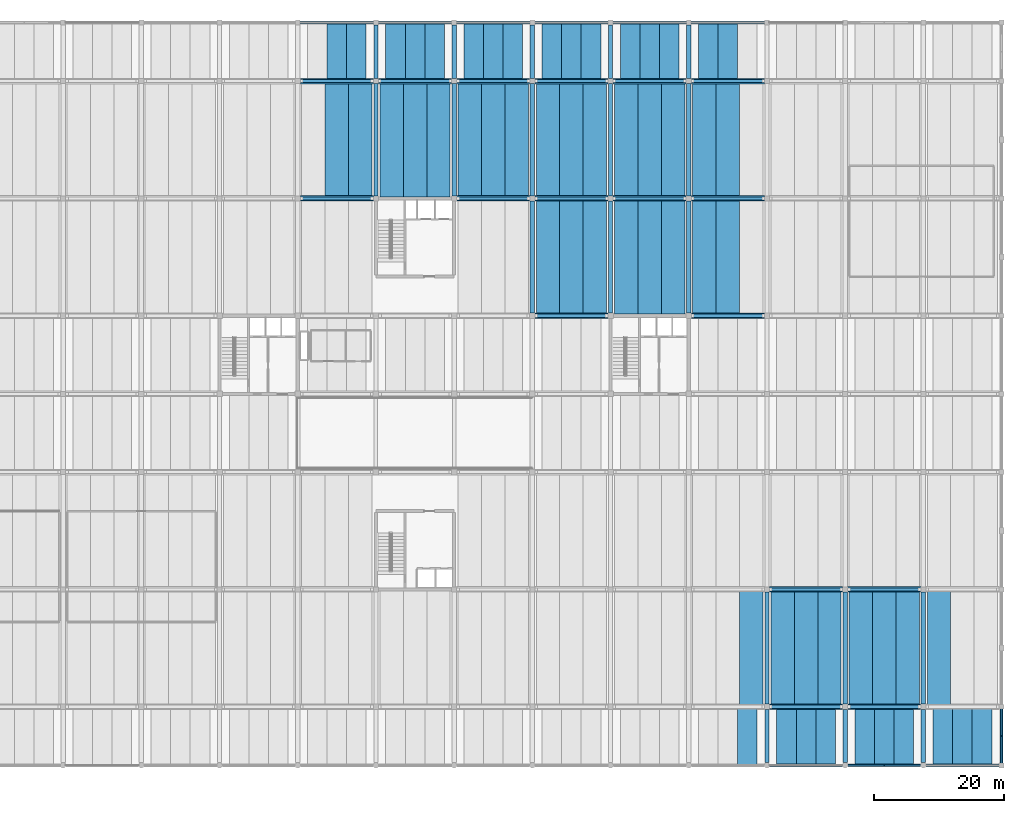
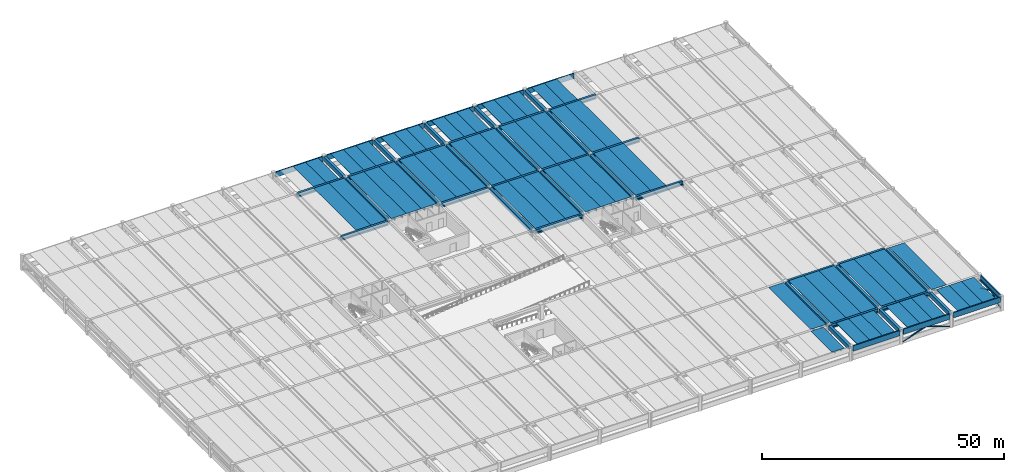
# One storey, part 5 of 21: 104 beams, 4 members.
"""IFC4 building model written with IfcOpenShell, lengths in metres."""

from ifc_helpers import new_model, si_unit, direction, frame, origin, origin_2d, place, context, subcontext, project, spatial, polyline, rectangle, hollow_rectangle, outline, extrude, material, material_profile, profile_set, type_object, element, save


model = new_model("IFC4")

# Units and contexts
model_context = context("Model", 3, precision=1e-05, world=origin(), true_north=direction((0.0, 1.0)))
body_context = subcontext(model_context, "Body", "Model", "MODEL_VIEW")
ifc_project = project(units=[si_unit("LENGTHUNIT", "METRE"), si_unit("AREAUNIT", "SQUARE_METRE"), si_unit("VOLUMEUNIT", "CUBIC_METRE"), si_unit("PLANEANGLEUNIT", "RADIAN"), si_unit("MASSUNIT", "GRAM", prefix="KILO")], contexts=[model_context])

# Site, building, storey
site_placement = place(None, origin())
site = spatial("IfcSite", under=ifc_project, at=site_placement, CompositionType="ELEMENT")
building_placement = place(site_placement, origin())
building = spatial("IfcBuilding", under=site, at=building_placement, Name="Girod Span Mobility Hub", CompositionType="ELEMENT")
storey_placement = place(building_placement, frame((0.0, 0.0, 17.199951171875)))
storey = spatial("IfcBuildingStorey", under=building, at=storey_placement, Name="L04", CompositionType="ELEMENT", Elevation=17.199951171875)

# Beams
ifc_material_1 = material(Name="Concrete C50/60", Category="concrete")
ifc_material_profile_1 = material_profile(ifc_material_1, outline(polyline([(-1.5, 0.300048828125), (-1.5, 0.2099609375), (-0.8349609375, 0.2099609375), (-0.8125, -0.300048828125), (-0.6875, -0.300048828125), (-0.6650390625, 0.2099609375), (0.6650390625, 0.2099609375), (0.6875, -0.300048828125), (0.8125, -0.300048828125), (0.8349609375, 0.2099609375), (1.5, 0.2099609375), (1.5, 0.300048828125), (-1.5, 0.300048828125)])), Name="DT-3000X600")
ifc_profile_set_1 = profile_set([ifc_material_profile_1], Name="Concrete C50/60")
beam_type_1 = type_object("IfcBeamType", Name="BM-DT-3000X600", PredefinedType="JOIST", material=ifc_profile_set_1)
for number, where, z_axis, x_axis, name in (
    (1, (66.0, 105.2470703125, 3.280029296875), (0.0, 1.0, 0.0), (-1.0, 0.0, 0.0), "Double-Tee Deck 6/H-2 L04"),
    (2, (69.0, 105.2470703125, 3.280029296875), (0.0, 1.0, 0.0), (-1.0, 0.0, 0.0), "Double-Tee Deck 6/H-3 L04"),
    (3, (75.0, 105.2470703125, 3.280029296875), (0.0, 1.0, 0.0), (-1.0, 0.0, 0.0), "Double-Tee Deck 7/H-1 L04"),
    (4, (78.0, 105.2470703125, 3.280029296875), (0.0, 1.0, 0.0), (-1.0, 0.0, 0.0), "Double-Tee Deck 7/H-2 L04"),
    (5, (81.0, 105.2470703125, 3.280029296875), (0.0, 1.0, 0.0), (-1.0, 0.0, 0.0), "Double-Tee Deck 7/H-3 L04"),
    (6, (87.0, 105.2470703125, 3.280029296875), (0.0, 1.0, 0.0), (-1.0, 0.0, 0.0), "Double-Tee Deck 8/H-1 L04"),
    (7, (90.0, 105.2470703125, 3.280029296875), (0.0, 1.0, 0.0), (-1.0, 0.0, 0.0), "Double-Tee Deck 8/H-2 L04"),
    (8, (93.0, 105.2470703125, 3.280029296875), (0.0, 1.0, 0.0), (-1.0, 0.0, 0.0), "Double-Tee Deck 8/H-3 L04"),
    (9, (99.0, 105.2470703125, 3.280029296875), (0.0, 1.0, 0.0), (-1.0, 0.0, 0.0), "Double-Tee Deck 9/H-1 L04"),
    (10, (102.0, 105.2470703125, 3.280029296875), (0.0, 1.0, 0.0), (-1.0, 0.0, 0.0), "Double-Tee Deck 9/H-2 L04"),
    (11, (105.0, 105.2470703125, 3.280029296875), (0.0, 1.0, 0.0), (-1.0, 0.0, 0.0), "Double-Tee Deck 9/H-3 L04"),
    (12, (111.0, 105.2470703125, 3.280029296875), (0.0, 1.0, 0.0), (-1.0, 0.0, 0.0), "Double-Tee Deck 10/H-1 L04"),
    (13, (114.0, 105.2470703125, 3.280029296875), (0.0, 1.0, 0.0), (-1.0, 0.0, 0.0), "Double-Tee Deck 10/H-2 L04"),
    (14, (117.0, 105.2470703125, 3.280029296875), (0.0, 1.0, 0.0), (-1.0, 0.0, 0.0), "Double-Tee Deck 10/H-3 L04"),
):
    element("IfcBeam", number, at=place(storey_placement, frame(where, z_axis=z_axis, x_axis=x_axis)), inside=storey, type_object=beam_type_1, Name=name, PredefinedType="JOIST", context=body_context, shape_type="SweptSolid", body=[
        extrude(outline(polyline([(-1.5, 0.300048828125), (-1.5, 0.2099609375), (-0.8349609375, 0.2099609375), (-0.8125, -0.300048828125), (-0.6875, -0.300048828125), (-0.6650390625, 0.2099609375), (0.6650390625, 0.2099609375), (0.6875, -0.300048828125), (0.8125, -0.300048828125), (0.8349609375, 0.2099609375), (1.5, 0.2099609375), (1.5, 0.300048828125), (-1.5, 0.300048828125)])), origin(), (0.0, 0.0, 1.0), 8.531005859375),
    ])
beam_1_placement = place(storey_placement, frame((129.0, 0.02197265625, 3.280029296875), z_axis=(0.0, 1.0, 0.0), x_axis=(-1.0, 0.0, 0.0)))
element("IfcBeam", 15, at=beam_1_placement, inside=storey, type_object=beam_type_1, Name="Double-Tee Deck 11/A-3 L04", PredefinedType="JOIST", context=body_context, shape_type="SweptSolid", body=[
    extrude(outline(polyline([(-1.5, 0.300048828125), (-1.5, 0.2099609375), (-0.8349609375, 0.2099609375), (-0.8125, -0.300048828125), (-0.6875, -0.300048828125), (-0.6650390625, 0.2099609375), (0.6650390625, 0.2099609375), (0.6875, -0.300048828125), (0.8125, -0.300048828125), (0.8349609375, 0.2099609375), (1.5, 0.2099609375), (1.5, 0.300048828125), (-1.5, 0.300048828125)])), origin(), (0.0, 0.0, 1.0), 8.73095703125),
])
for number, where, z_axis, x_axis, name in (
    (16, (123.0, 105.2470703125, 3.280029296875), (0.0, 1.0, 0.0), (-1.0, 0.0, 0.0), "Double-Tee Deck 11/H-1 L04"),
    (17, (126.0, 105.2470703125, 3.280029296875), (0.0, 1.0, 0.0), (-1.0, 0.0, 0.0), "Double-Tee Deck 11/H-2 L04"),
):
    element("IfcBeam", number, at=place(storey_placement, frame(where, z_axis=z_axis, x_axis=x_axis)), inside=storey, type_object=beam_type_1, Name=name, PredefinedType="JOIST", context=body_context, shape_type="SweptSolid", body=[
        extrude(outline(polyline([(-1.5, 0.300048828125), (-1.5, 0.2099609375), (-0.8349609375, 0.2099609375), (-0.8125, -0.300048828125), (-0.6875, -0.300048828125), (-0.6650390625, 0.2099609375), (0.6650390625, 0.2099609375), (0.6875, -0.300048828125), (0.8125, -0.300048828125), (0.8349609375, 0.2099609375), (1.5, 0.2099609375), (1.5, 0.300048828125), (-1.5, 0.300048828125)])), origin(), (0.0, 0.0, 1.0), 8.531005859375),
    ])
for number, where, z_axis, x_axis, name in (
    (18, (135.0, 0.02197265625, 3.280029296875), (0.0, 1.0, 0.0), (-1.0, 0.0, 0.0), "Double-Tee Deck 12/A-1 L04"),
    (19, (138.0, 0.02197265625, 3.280029296875), (0.0, 1.0, 0.0), (-1.0, 0.0, 0.0), "Double-Tee Deck 12/A-2 L04"),
    (20, (141.0, 0.02197265625, 3.280029296875), (0.0, 1.0, 0.0), (-1.0, 0.0, 0.0), "Double-Tee Deck 12/A-3 L04"),
    (21, (147.0, 0.02197265625, 3.280029296875), (0.0, 1.0, 0.0), (-1.0, 0.0, 0.0), "Double-Tee Deck 13/A-1 L04"),
    (22, (150.0, 0.02197265625, 3.280029296875), (0.0, 1.0, 0.0), (-1.0, 0.0, 0.0), "Double-Tee Deck 13/A-2 L04"),
    (23, (153.0, 0.02197265625, 3.280029296875), (0.0, 1.0, 0.0), (-1.0, 0.0, 0.0), "Double-Tee Deck 13/A-3 L04"),
    (24, (159.0, 0.02197265625, 3.280029296875), (0.0, 1.0, 0.0), (-1.0, 0.0, 0.0), "Double-Tee Deck 14/A-1 L04"),
    (25, (162.0, 0.02197265625, 3.280029296875), (0.0, 1.0, 0.0), (-1.0, 0.0, 0.0), "Double-Tee Deck 14/A-2 L04"),
    (26, (165.0, 0.02197265625, 3.280029296875), (0.0, 1.0, 0.0), (-1.0, 0.0, 0.0), "Double-Tee Deck 14/A-3 L04"),
):
    element("IfcBeam", number, at=place(storey_placement, frame(where, z_axis=z_axis, x_axis=x_axis)), inside=storey, type_object=beam_type_1, Name=name, PredefinedType="JOIST", context=body_context, shape_type="SweptSolid", body=[
        extrude(outline(polyline([(-1.5, 0.300048828125), (-1.5, 0.2099609375), (-0.8349609375, 0.2099609375), (-0.8125, -0.300048828125), (-0.6875, -0.300048828125), (-0.6650390625, 0.2099609375), (0.6650390625, 0.2099609375), (0.6875, -0.300048828125), (0.8125, -0.300048828125), (0.8349609375, 0.2099609375), (1.5, 0.2099609375), (1.5, 0.300048828125), (-1.5, 0.300048828125)])), origin(), (0.0, 0.0, 1.0), 8.73095703125),
    ])
ifc_material_2 = material(Name="Concrete C50/60", Category="concrete")
ifc_material_profile_2 = material_profile(ifc_material_2, outline(polyline([(-1.800048828125, 0.425048828125), (-1.800048828125, 0.324951171875), (-1.0, 0.324951171875), (-0.969970703125, -0.425048828125), (-0.830078125, -0.425048828125), (-0.800048828125, 0.324951171875), (0.800048828125, 0.324951171875), (0.830078125, -0.425048828125), (0.969970703125, -0.425048828125), (1.0, 0.324951171875), (1.800048828125, 0.324951171875), (1.800048828125, 0.425048828125), (-1.800048828125, 0.425048828125)])), Name="DT-3600X850")
ifc_profile_set_2 = profile_set([ifc_material_profile_2], Name="Concrete C50/60")
beam_type_2 = type_object("IfcBeamType", Name="BM-DT-3600X850", PredefinedType="JOIST", material=ifc_profile_set_2)
for number, where, z_axis, x_axis, name in (
    (27, (66.0, 87.2470703125, 3.215087890625), (0.0, 1.0, 0.0), (-1.0, 0.0, 0.0), "Double-Tee Deck 6/G-2 L04"),
    (28, (69.60009765625, 87.2470703125, 3.215087890625), (0.0, 1.0, 0.0), (-1.0, 0.0, 0.0), "Double-Tee Deck 6/G-3 L04"),
):
    element("IfcBeam", number, at=place(storey_placement, frame(where, z_axis=z_axis, x_axis=x_axis)), inside=storey, type_object=beam_type_2, Name=name, PredefinedType="JOIST", context=body_context, shape_type="SweptSolid", body=[
        extrude(outline(polyline([(-1.800048828125, 0.425048828125), (-1.800048828125, 0.324951171875), (-1.0, 0.324951171875), (-0.969970703125, -0.425048828125), (-0.830078125, -0.425048828125), (-0.800048828125, 0.324951171875), (0.800048828125, 0.324951171875), (0.830078125, -0.425048828125), (0.969970703125, -0.425048828125), (1.0, 0.324951171875), (1.800048828125, 0.324951171875), (1.800048828125, 0.425048828125), (-1.800048828125, 0.425048828125)])), origin(), (0.0, 0.0, 1.0), 17.505859375),
    ])
for number, where, z_axis, x_axis, name in (
    (29, (74.39990234375, 87.221923828125, 3.215087890625), (0.0, 1.0, 0.0), (-1.0, 0.0, 0.0), "Double-Tee Deck 7/G-1 L04"),
    (30, (78.0, 87.221923828125, 3.215087890625), (0.0, 1.0, 0.0), (-1.0, 0.0, 0.0), "Double-Tee Deck 7/G-2 L04"),
    (31, (81.60009765625, 87.221923828125, 3.215087890625), (0.0, 1.0, 0.0), (-1.0, 0.0, 0.0), "Double-Tee Deck 7/G-3 L04"),
):
    element("IfcBeam", number, at=place(storey_placement, frame(where, z_axis=z_axis, x_axis=x_axis)), inside=storey, type_object=beam_type_2, Name=name, PredefinedType="JOIST", context=body_context, shape_type="SweptSolid", body=[
        extrude(outline(polyline([(-1.800048828125, 0.425048828125), (-1.800048828125, 0.324951171875), (-1.0, 0.324951171875), (-0.969970703125, -0.425048828125), (-0.830078125, -0.425048828125), (-0.800048828125, 0.324951171875), (0.800048828125, 0.324951171875), (0.830078125, -0.425048828125), (0.969970703125, -0.425048828125), (1.0, 0.324951171875), (1.800048828125, 0.324951171875), (1.800048828125, 0.425048828125), (-1.800048828125, 0.425048828125)])), origin(), (0.0, 0.0, 1.0), 17.531005859375),
    ])
for number, where, z_axis, x_axis, name in (
    (32, (86.39990234375, 87.2470703125, 3.215087890625), (0.0, 1.0, 0.0), (-1.0, 0.0, 0.0), "Double-Tee Deck 8/G-1 L04"),
    (33, (90.0, 87.2470703125, 3.215087890625), (0.0, 1.0, 0.0), (-1.0, 0.0, 0.0), "Double-Tee Deck 8/G-2 L04"),
    (34, (93.60009765625, 87.2470703125, 3.215087890625), (0.0, 1.0, 0.0), (-1.0, 0.0, 0.0), "Double-Tee Deck 8/G-3 L04"),
    (35, (98.39990234375, 69.2470703125, 3.215087890625), (0.0, 1.0, 0.0), (-1.0, 0.0, 0.0), "Double-Tee Deck 9/F-1 L04"),
    (36, (102.0, 69.2470703125, 3.215087890625), (0.0, 1.0, 0.0), (-1.0, 0.0, 0.0), "Double-Tee Deck 9/F-2 L04"),
    (37, (105.60009765625, 69.2470703125, 3.215087890625), (0.0, 1.0, 0.0), (-1.0, 0.0, 0.0), "Double-Tee Deck 9/F-3 L04"),
    (38, (98.39990234375, 87.2470703125, 3.215087890625), (0.0, 1.0, 0.0), (-1.0, 0.0, 0.0), "Double-Tee Deck 9/G-1 L04"),
    (39, (102.0, 87.2470703125, 3.215087890625), (0.0, 1.0, 0.0), (-1.0, 0.0, 0.0), "Double-Tee Deck 9/G-2 L04"),
    (40, (105.60009765625, 87.2470703125, 3.215087890625), (0.0, 1.0, 0.0), (-1.0, 0.0, 0.0), "Double-Tee Deck 9/G-3 L04"),
    (41, (110.39990234375, 69.2470703125, 3.215087890625), (0.0, 1.0, 0.0), (-1.0, 0.0, 0.0), "Double-Tee Deck 10/F-1 L04"),
    (42, (114.0, 69.2470703125, 3.215087890625), (0.0, 1.0, 0.0), (-1.0, 0.0, 0.0), "Double-Tee Deck 10/F-2 L04"),
    (43, (117.60009765625, 69.2470703125, 3.215087890625), (0.0, 1.0, 0.0), (-1.0, 0.0, 0.0), "Double-Tee Deck 10/F-3 L04"),
    (44, (110.39990234375, 87.2470703125, 3.215087890625), (0.0, 1.0, 0.0), (-1.0, 0.0, 0.0), "Double-Tee Deck 10/G-1 L04"),
    (45, (114.0, 87.2470703125, 3.215087890625), (0.0, 1.0, 0.0), (-1.0, 0.0, 0.0), "Double-Tee Deck 10/G-2 L04"),
    (46, (117.60009765625, 87.2470703125, 3.215087890625), (0.0, 1.0, 0.0), (-1.0, 0.0, 0.0), "Double-Tee Deck 10/G-3 L04"),
    (47, (129.60009765625, 9.2470703125, 3.215087890625), (0.0, 1.0, 0.0), (-1.0, 0.0, 0.0), "Double-Tee Deck 11/B-3 L04"),
    (48, (122.39990234375, 69.2470703125, 3.215087890625), (0.0, 1.0, 0.0), (-1.0, 0.0, 0.0), "Double-Tee Deck 11/F-1 L04"),
    (49, (126.0, 69.2470703125, 3.215087890625), (0.0, 1.0, 0.0), (-1.0, 0.0, 0.0), "Double-Tee Deck 11/F-2 L04"),
    (50, (122.39990234375, 87.2470703125, 3.215087890625), (0.0, 1.0, 0.0), (-1.0, 0.0, 0.0), "Double-Tee Deck 11/G-1 L04"),
    (51, (126.0, 87.2470703125, 3.215087890625), (0.0, 1.0, 0.0), (-1.0, 0.0, 0.0), "Double-Tee Deck 11/G-2 L04"),
    (52, (134.39990234375, 9.2470703125, 3.215087890625), (0.0, 1.0, 0.0), (-1.0, 0.0, 0.0), "Double-Tee Deck 12/B-1 L04"),
    (53, (138.0, 9.2470703125, 3.215087890625), (0.0, 1.0, 0.0), (-1.0, 0.0, 0.0), "Double-Tee Deck 12/B-2 L04"),
    (54, (141.60009765625, 9.2470703125, 3.215087890625), (0.0, 1.0, 0.0), (-1.0, 0.0, 0.0), "Double-Tee Deck 12/B-3 L04"),
    (55, (146.39990234375, 9.2470703125, 3.215087890625), (0.0, 1.0, 0.0), (-1.0, 0.0, 0.0), "Double-Tee Deck 13/B-1 L04"),
    (56, (150.0, 9.2470703125, 3.215087890625), (0.0, 1.0, 0.0), (-1.0, 0.0, 0.0), "Double-Tee Deck 13/B-2 L04"),
    (57, (153.60009765625, 9.2470703125, 3.215087890625), (0.0, 1.0, 0.0), (-1.0, 0.0, 0.0), "Double-Tee Deck 13/B-3 L04"),
    (58, (158.39990234375, 9.2470703125, 3.155029296875), (0.0, 1.0, 0.0), (-1.0, 0.0, 0.0), "Double-Tee Deck 14/B-1 L04"),
):
    element("IfcBeam", number, at=place(storey_placement, frame(where, z_axis=z_axis, x_axis=x_axis)), inside=storey, type_object=beam_type_2, Name=name, PredefinedType="JOIST", context=body_context, shape_type="SweptSolid", body=[
        extrude(outline(polyline([(-1.800048828125, 0.425048828125), (-1.800048828125, 0.324951171875), (-1.0, 0.324951171875), (-0.969970703125, -0.425048828125), (-0.830078125, -0.425048828125), (-0.800048828125, 0.324951171875), (0.800048828125, 0.324951171875), (0.830078125, -0.425048828125), (0.969970703125, -0.425048828125), (1.0, 0.324951171875), (1.800048828125, 0.324951171875), (1.800048828125, 0.425048828125), (-1.800048828125, 0.425048828125)])), origin(), (0.0, 0.0, 1.0), 17.505859375),
    ])
ifc_material_3 = material(Name="Concrete C50/60", Category="concrete")
ifc_material_profile_3 = material_profile(ifc_material_3, outline(polyline([(-0.425048828125, -0.47509765625), (0.425048828125, -0.47509765625), (0.425048828125, -0.155029296875), (0.25, -0.155029296875), (0.25, 0.47509765625), (-0.25, 0.47509765625), (-0.25, -0.155029296875), (-0.425048828125, -0.155029296875), (-0.425048828125, -0.47509765625)])), Name="IT-850X950")
ifc_profile_set_3 = profile_set([ifc_material_profile_3], Name="Concrete C50/60")
beam_type_3 = type_object("IfcBeamType", Name="BM-IT-850X950", PredefinedType="T_BEAM", material=ifc_profile_set_3)
for number, where, z_axis, x_axis, name in (
    (59, (132.39697265625, 9.0, 3.1650390625), (1.0, 0.0, 0.0), (0.0, 1.0, 0.0), "Girder 12-13/B L04"),
    (60, (144.39697265625, 9.0, 3.1650390625), (1.0, 0.0, 0.0), (0.0, 1.0, 0.0), "Girder 13-14/B L04"),
    (61, (132.39697265625, 27.0, 3.1650390625), (1.0, 0.0, 0.0), (0.0, 1.0, 0.0), "Girder 12-13/C L04"),
    (62, (144.39697265625, 27.0, 3.1650390625), (1.0, 0.0, 0.0), (0.0, 1.0, 0.0), "Girder 13-14/C L04"),
):
    element("IfcBeam", number, at=place(storey_placement, frame(where, z_axis=z_axis, x_axis=x_axis)), inside=storey, type_object=beam_type_3, Name=name, PredefinedType="T_BEAM", context=body_context, shape_type="SweptSolid", body=[
        extrude(outline(polyline([(-0.425048828125, -0.47509765625), (0.425048828125, -0.47509765625), (0.425048828125, -0.155029296875), (0.25, -0.155029296875), (0.25, 0.47509765625), (-0.25, 0.47509765625), (-0.25, -0.155029296875), (-0.425048828125, -0.155029296875), (-0.425048828125, -0.47509765625)])), origin(), (0.0, 0.0, 1.0), 11.2060546875),
    ])
beam_2_placement = place(storey_placement, frame((96.422119140625, 69.0, 3.1650390625), z_axis=(1.0, 0.0, 0.0), x_axis=(0.0, 1.0, 0.0)))
element("IfcBeam", 63, at=beam_2_placement, inside=storey, type_object=beam_type_3, Name="Girder 9-10/F L04", PredefinedType="T_BEAM", context=body_context, shape_type="SweptSolid", body=[
    extrude(outline(polyline([(-0.425048828125, -0.47509765625), (0.425048828125, -0.47509765625), (0.425048828125, -0.155029296875), (0.25, -0.155029296875), (0.25, 0.47509765625), (-0.25, 0.47509765625), (-0.25, -0.155029296875), (-0.425048828125, -0.155029296875), (-0.425048828125, -0.47509765625)])), origin(), (0.0, 0.0, 1.0), 11.15576171875),
])
beam_3_placement = place(storey_placement, frame((120.422119140625, 69.0, 3.1650390625), z_axis=(1.0, 0.0, 0.0), x_axis=(0.0, 1.0, 0.0)))
element("IfcBeam", 64, at=beam_3_placement, inside=storey, type_object=beam_type_3, Name="Girder 11-12/F L04", PredefinedType="T_BEAM", context=body_context, shape_type="SweptSolid", body=[
    extrude(outline(polyline([(-0.425048828125, -0.47509765625), (0.425048828125, -0.47509765625), (0.425048828125, -0.155029296875), (0.25, -0.155029296875), (0.25, 0.47509765625), (-0.25, 0.47509765625), (-0.25, -0.155029296875), (-0.425048828125, -0.155029296875), (-0.425048828125, -0.47509765625)])), origin(), (0.0, 0.0, 1.0), 11.180908203125),
])
for number, where, z_axis, x_axis, name in (
    (65, (60.39697265625, 87.0, 3.1650390625), (1.0, 0.0, 0.0), (0.0, 1.0, 0.0), "Girder 6-7/G L04"),
    (66, (84.39697265625, 87.0, 3.1650390625), (1.0, 0.0, 0.0), (0.0, 1.0, 0.0), "Girder 8-9/G L04"),
    (67, (96.39697265625, 87.0, 3.1650390625), (1.0, 0.0, 0.0), (0.0, 1.0, 0.0), "Girder 9-10/G L04"),
    (68, (108.39697265625, 87.0, 3.1650390625), (1.0, 0.0, 0.0), (0.0, 1.0, 0.0), "Girder 10-11/G L04"),
    (69, (120.39697265625, 87.0, 3.1650390625), (1.0, 0.0, 0.0), (0.0, 1.0, 0.0), "Girder 11-12/G L04"),
    (70, (60.39697265625, 105.0, 3.1650390625), (1.0, 0.0, 0.0), (0.0, 1.0, 0.0), "Girder 6-7/H L04"),
    (71, (72.39697265625, 105.0, 3.1650390625), (1.0, 0.0, 0.0), (0.0, 1.0, 0.0), "Girder 7-8/H L04"),
    (72, (84.39697265625, 105.0, 3.1650390625), (1.0, 0.0, 0.0), (0.0, 1.0, 0.0), "Girder 8-9/H L04"),
    (73, (96.39697265625, 105.0, 3.1650390625), (1.0, 0.0, 0.0), (0.0, 1.0, 0.0), "Girder 9-10/H L04"),
    (74, (108.39697265625, 105.0, 3.1650390625), (1.0, 0.0, 0.0), (0.0, 1.0, 0.0), "Girder 10-11/H L04"),
    (75, (120.39697265625, 105.0, 3.1650390625), (1.0, 0.0, 0.0), (0.0, 1.0, 0.0), "Girder 11-12/H L04"),
):
    element("IfcBeam", number, at=place(storey_placement, frame(where, z_axis=z_axis, x_axis=x_axis)), inside=storey, type_object=beam_type_3, Name=name, PredefinedType="T_BEAM", context=body_context, shape_type="SweptSolid", body=[
        extrude(outline(polyline([(-0.425048828125, -0.47509765625), (0.425048828125, -0.47509765625), (0.425048828125, -0.155029296875), (0.25, -0.155029296875), (0.25, 0.47509765625), (-0.25, 0.47509765625), (-0.25, -0.155029296875), (-0.425048828125, -0.155029296875), (-0.425048828125, -0.47509765625)])), origin(), (0.0, 0.0, 1.0), 11.2060546875),
    ])
ifc_material_4 = material(Name="Concrete C40/50", Category="concrete")
ifc_material_profile_4 = material_profile(ifc_material_4, outline(polyline([(-0.22509765625, -0.675048828125), (0.22509765625, -0.675048828125), (0.22509765625, -0.324951171875), (0.02490234375, -0.324951171875), (0.02490234375, 0.675048828125), (-0.22509765625, 0.675048828125), (-0.22509765625, -0.675048828125)])), Name="SP-450X1350")
ifc_profile_set_4 = profile_set([ifc_material_profile_4], Name="Concrete C40/50")
beam_type_4 = type_object("IfcBeamType", Name="BM-SP-450X1350", PredefinedType="SPANDREL", material=ifc_profile_set_4)
for number, where, z_axis, x_axis, name in (
    (76, (132.422119140625, 0.0, 2.905029296875), (1.0, 0.0, 0.0), (0.0, 1.0, 0.0), "Girder 12-13/A L04"),
    (77, (144.422119140625, 0.0, 2.905029296875), (1.0, 0.0, 0.0), (0.0, 1.0, 0.0), "Girder 13-14/A L04"),
):
    element("IfcBeam", number, at=place(storey_placement, frame(where, z_axis=z_axis, x_axis=x_axis)), inside=storey, type_object=beam_type_4, Name=name, PredefinedType="SPANDREL", context=body_context, shape_type="SweptSolid", body=[
        extrude(outline(polyline([(-0.22509765625, -0.675048828125), (0.22509765625, -0.675048828125), (0.22509765625, -0.324951171875), (0.02490234375, -0.324951171875), (0.02490234375, 0.675048828125), (-0.22509765625, 0.675048828125), (-0.22509765625, -0.675048828125)])), origin(), (0.0, 0.0, 1.0), 11.15576171875),
    ])
beam_4_placement = place(storey_placement, frame((156.422119140625, 0.0, 2.905029296875), z_axis=(1.0, 0.0, 0.0), x_axis=(0.0, 1.0, 0.0)))
element("IfcBeam", 78, at=beam_4_placement, inside=storey, type_object=beam_type_4, Name="Girder 14-15/A L04", PredefinedType="SPANDREL", context=body_context, shape_type="SweptSolid", body=[
    extrude(outline(polyline([(-0.22509765625, -0.675048828125), (0.22509765625, -0.675048828125), (0.22509765625, -0.324951171875), (0.02490234375, -0.324951171875), (0.02490234375, 0.675048828125), (-0.22509765625, 0.675048828125), (-0.22509765625, -0.675048828125)])), origin(), (0.0, 0.0, 1.0), 11.205810546875),
])
for number, where, z_axis, x_axis, name in (
    (79, (60.3720703125, 114.0, 2.905029296875), (1.0, 0.0, 0.0), (0.0, 1.0, 0.0), "Girder 6-7/J L04"),
    (80, (72.3720703125, 114.0, 2.905029296875), (1.0, 0.0, 0.0), (0.0, 1.0, 0.0), "Girder 7-8/J L04"),
    (81, (84.3720703125, 114.0, 2.905029296875), (1.0, 0.0, 0.0), (0.0, 1.0, 0.0), "Girder 8-9/J L04"),
    (82, (96.3720703125, 114.0, 2.905029296875), (1.0, 0.0, 0.0), (0.0, 1.0, 0.0), "Girder 9-10/J L04"),
    (83, (108.3720703125, 114.0, 2.905029296875), (1.0, 0.0, 0.0), (0.0, 1.0, 0.0), "Girder 10-11/J L04"),
    (84, (120.3720703125, 114.0, 2.905029296875), (1.0, 0.0, 0.0), (0.0, 1.0, 0.0), "Girder 11-12/J L04"),
):
    element("IfcBeam", number, at=place(storey_placement, frame(where, z_axis=z_axis, x_axis=x_axis)), inside=storey, type_object=beam_type_4, Name=name, PredefinedType="SPANDREL", context=body_context, shape_type="SweptSolid", body=[
        extrude(outline(polyline([(-0.22509765625, -0.675048828125), (0.22509765625, -0.675048828125), (0.22509765625, -0.324951171875), (0.02490234375, -0.324951171875), (0.02490234375, 0.675048828125), (-0.22509765625, 0.675048828125), (-0.22509765625, -0.675048828125)])), origin(), (0.0, 0.0, 1.0), 11.255859375),
    ])
beam_5_placement = place(storey_placement, frame((168.0, 0.3720703125, 2.905029296875), z_axis=(0.0, 1.0, 0.0), x_axis=(-1.0, 0.0, 0.0)))
element("IfcBeam", 85, at=beam_5_placement, inside=storey, type_object=beam_type_4, Name="Tie Girder 15/A-B L04", PredefinedType="SPANDREL", context=body_context, shape_type="SweptSolid", body=[
    extrude(outline(polyline([(-0.22509765625, -0.675048828125), (0.22509765625, -0.675048828125), (0.22509765625, -0.324951171875), (0.02490234375, -0.324951171875), (0.02490234375, 0.675048828125), (-0.22509765625, 0.675048828125), (-0.22509765625, -0.675048828125)])), origin(), (0.0, 0.0, 1.0), 8.255859375),
])
ifc_material_5 = material(Name="Concrete C40/50", Category="concrete")
ifc_material_profile_5 = material_profile(ifc_material_5, rectangle(XDim=0.64990234375, YDim=1.0, at=origin_2d()), Name="TG-650X1000")
ifc_profile_set_5 = profile_set([ifc_material_profile_5], Name="Concrete C40/50")
beam_type_5 = type_object("IfcBeamType", Name="BM-TG-650X1000", PredefinedType="T_BEAM", material=ifc_profile_set_5)
beam_6_placement = place(storey_placement, frame((72.0, 87.39697265625, 3.14013671875), z_axis=(0.0, 1.0, 0.0), x_axis=(-1.0, 0.0, 0.0)))
element("IfcBeam", 86, at=beam_6_placement, inside=storey, type_object=beam_type_5, Name="Tie Girder 7/G-H L04", PredefinedType="T_BEAM", context=body_context, shape_type="SweptSolid", body=[
    extrude(rectangle(XDim=0.64990234375, YDim=1.0, at=origin_2d()), origin(), (0.0, 0.0, 1.0), 17.2060546875),
])
beam_7_placement = place(storey_placement, frame((72.0, 105.39697265625, 3.080078125), z_axis=(0.0, 1.0, 0.0), x_axis=(-1.0, 0.0, 0.0)))
element("IfcBeam", 87, at=beam_7_placement, inside=storey, type_object=beam_type_5, Name="Tie Girder 7/H-J L04", PredefinedType="T_BEAM", context=body_context, shape_type="SweptSolid", body=[
    extrude(rectangle(XDim=0.64990234375, YDim=1.0, at=origin_2d()), origin(), (0.0, 0.0, 1.0), 8.23095703125),
])
beam_8_placement = place(storey_placement, frame((84.0, 87.39697265625, 3.14013671875), z_axis=(0.0, 1.0, 0.0), x_axis=(-1.0, 0.0, 0.0)))
element("IfcBeam", 88, at=beam_8_placement, inside=storey, type_object=beam_type_5, Name="Tie Girder 8/G-H L04", PredefinedType="T_BEAM", context=body_context, shape_type="SweptSolid", body=[
    extrude(rectangle(XDim=0.64990234375, YDim=1.0, at=origin_2d()), origin(), (0.0, 0.0, 1.0), 17.2060546875),
])
beam_9_placement = place(storey_placement, frame((84.0, 105.39697265625, 3.080078125), z_axis=(0.0, 1.0, 0.0), x_axis=(-1.0, 0.0, 0.0)))
element("IfcBeam", 89, at=beam_9_placement, inside=storey, type_object=beam_type_5, Name="Tie Girder 8/H-J L04", PredefinedType="T_BEAM", context=body_context, shape_type="SweptSolid", body=[
    extrude(rectangle(XDim=0.64990234375, YDim=1.0, at=origin_2d()), origin(), (0.0, 0.0, 1.0), 8.23095703125),
])
beam_10_placement = place(storey_placement, frame((96.0, 69.422119140625, 3.14013671875), z_axis=(0.0, 1.0, 0.0), x_axis=(-1.0, 0.0, 0.0)))
element("IfcBeam", 90, at=beam_10_placement, inside=storey, type_object=beam_type_5, Name="Tie Girder 9/F-G L04", PredefinedType="T_BEAM", context=body_context, shape_type="SweptSolid", body=[
    extrude(rectangle(XDim=0.64990234375, YDim=1.0, at=origin_2d()), origin(), (0.0, 0.0, 1.0), 17.180908203125),
])
beam_11_placement = place(storey_placement, frame((96.0, 87.39697265625, 3.14013671875), z_axis=(0.0, 1.0, 0.0), x_axis=(-1.0, 0.0, 0.0)))
element("IfcBeam", 91, at=beam_11_placement, inside=storey, type_object=beam_type_5, Name="Tie Girder 9/G-H L04", PredefinedType="T_BEAM", context=body_context, shape_type="SweptSolid", body=[
    extrude(rectangle(XDim=0.64990234375, YDim=1.0, at=origin_2d()), origin(), (0.0, 0.0, 1.0), 17.2060546875),
])
beam_12_placement = place(storey_placement, frame((96.0, 105.39697265625, 3.080078125), z_axis=(0.0, 1.0, 0.0), x_axis=(-1.0, 0.0, 0.0)))
element("IfcBeam", 92, at=beam_12_placement, inside=storey, type_object=beam_type_5, Name="Tie Girder 9/H-J L04", PredefinedType="T_BEAM", context=body_context, shape_type="SweptSolid", body=[
    extrude(rectangle(XDim=0.64990234375, YDim=1.0, at=origin_2d()), origin(), (0.0, 0.0, 1.0), 8.23095703125),
])
beam_13_placement = place(storey_placement, frame((108.0, 69.422119140625, 3.14013671875), z_axis=(0.0, 1.0, 0.0), x_axis=(-1.0, 0.0, 0.0)))
element("IfcBeam", 93, at=beam_13_placement, inside=storey, type_object=beam_type_5, Name="Tie Girder 10/F-G L04", PredefinedType="T_BEAM", context=body_context, shape_type="SweptSolid", body=[
    extrude(rectangle(XDim=0.64990234375, YDim=1.0, at=origin_2d()), origin(), (0.0, 0.0, 1.0), 17.180908203125),
])
beam_14_placement = place(storey_placement, frame((108.0, 87.39697265625, 3.14013671875), z_axis=(0.0, 1.0, 0.0), x_axis=(-1.0, 0.0, 0.0)))
element("IfcBeam", 94, at=beam_14_placement, inside=storey, type_object=beam_type_5, Name="Tie Girder 10/G-H L04", PredefinedType="T_BEAM", context=body_context, shape_type="SweptSolid", body=[
    extrude(rectangle(XDim=0.64990234375, YDim=1.0, at=origin_2d()), origin(), (0.0, 0.0, 1.0), 17.2060546875),
])
beam_15_placement = place(storey_placement, frame((108.0, 105.39697265625, 3.080078125), z_axis=(0.0, 1.0, 0.0), x_axis=(-1.0, 0.0, 0.0)))
element("IfcBeam", 95, at=beam_15_placement, inside=storey, type_object=beam_type_5, Name="Tie Girder 10/H-J L04", PredefinedType="T_BEAM", context=body_context, shape_type="SweptSolid", body=[
    extrude(rectangle(XDim=0.64990234375, YDim=1.0, at=origin_2d()), origin(), (0.0, 0.0, 1.0), 8.23095703125),
])
beam_16_placement = place(storey_placement, frame((120.0, 69.422119140625, 3.14013671875), z_axis=(0.0, 1.0, 0.0), x_axis=(-1.0, 0.0, 0.0)))
element("IfcBeam", 96, at=beam_16_placement, inside=storey, type_object=beam_type_5, Name="Tie Girder 11/F-G L04", PredefinedType="T_BEAM", context=body_context, shape_type="SweptSolid", body=[
    extrude(rectangle(XDim=0.64990234375, YDim=1.0, at=origin_2d()), origin(), (0.0, 0.0, 1.0), 17.180908203125),
])
beam_17_placement = place(storey_placement, frame((120.0, 87.39697265625, 3.14013671875), z_axis=(0.0, 1.0, 0.0), x_axis=(-1.0, 0.0, 0.0)))
element("IfcBeam", 97, at=beam_17_placement, inside=storey, type_object=beam_type_5, Name="Tie Girder 11/G-H L04", PredefinedType="T_BEAM", context=body_context, shape_type="SweptSolid", body=[
    extrude(rectangle(XDim=0.64990234375, YDim=1.0, at=origin_2d()), origin(), (0.0, 0.0, 1.0), 17.2060546875),
])
beam_18_placement = place(storey_placement, frame((120.0, 105.39697265625, 3.080078125), z_axis=(0.0, 1.0, 0.0), x_axis=(-1.0, 0.0, 0.0)))
element("IfcBeam", 98, at=beam_18_placement, inside=storey, type_object=beam_type_5, Name="Tie Girder 11/H-J L04", PredefinedType="T_BEAM", context=body_context, shape_type="SweptSolid", body=[
    extrude(rectangle(XDim=0.64990234375, YDim=1.0, at=origin_2d()), origin(), (0.0, 0.0, 1.0), 8.23095703125),
])
beam_19_placement = place(storey_placement, frame((132.0, 0.422119140625, 3.080078125), z_axis=(0.0, 1.0, 0.0), x_axis=(-1.0, 0.0, 0.0)))
element("IfcBeam", 99, at=beam_19_placement, inside=storey, type_object=beam_type_5, Name="Tie Girder 12/A-B L04", PredefinedType="T_BEAM", context=body_context, shape_type="SweptSolid", body=[
    extrude(rectangle(XDim=0.64990234375, YDim=1.0, at=origin_2d()), origin(), (0.0, 0.0, 1.0), 8.180908203125),
])
beam_20_placement = place(storey_placement, frame((132.0, 9.39697265625, 3.14013671875), z_axis=(0.0, 1.0, 0.0), x_axis=(-1.0, 0.0, 0.0)))
element("IfcBeam", 100, at=beam_20_placement, inside=storey, type_object=beam_type_5, Name="Tie Girder 12/B-C L04", PredefinedType="T_BEAM", context=body_context, shape_type="SweptSolid", body=[
    extrude(rectangle(XDim=0.64990234375, YDim=1.0, at=origin_2d()), origin(), (0.0, 0.0, 1.0), 17.2060546875),
])
beam_21_placement = place(storey_placement, frame((144.0, 0.422119140625, 3.080078125), z_axis=(0.0, 1.0, 0.0), x_axis=(-1.0, 0.0, 0.0)))
element("IfcBeam", 101, at=beam_21_placement, inside=storey, type_object=beam_type_5, Name="Tie Girder 13/A-B L04", PredefinedType="T_BEAM", context=body_context, shape_type="SweptSolid", body=[
    extrude(rectangle(XDim=0.64990234375, YDim=1.0, at=origin_2d()), origin(), (0.0, 0.0, 1.0), 8.180908203125),
])
beam_22_placement = place(storey_placement, frame((144.0, 9.39697265625, 3.14013671875), z_axis=(0.0, 1.0, 0.0), x_axis=(-1.0, 0.0, 0.0)))
element("IfcBeam", 102, at=beam_22_placement, inside=storey, type_object=beam_type_5, Name="Tie Girder 13/B-C L04", PredefinedType="T_BEAM", context=body_context, shape_type="SweptSolid", body=[
    extrude(rectangle(XDim=0.64990234375, YDim=1.0, at=origin_2d()), origin(), (0.0, 0.0, 1.0), 17.2060546875),
])
beam_23_placement = place(storey_placement, frame((156.0, 0.422119140625, 3.080078125), z_axis=(0.0, 1.0, 0.0), x_axis=(-1.0, 0.0, 0.0)))
element("IfcBeam", 103, at=beam_23_placement, inside=storey, type_object=beam_type_5, Name="Tie Girder 14/A-B L04", PredefinedType="T_BEAM", context=body_context, shape_type="SweptSolid", body=[
    extrude(rectangle(XDim=0.64990234375, YDim=1.0, at=origin_2d()), origin(), (0.0, 0.0, 1.0), 8.180908203125),
])
beam_24_placement = place(storey_placement, frame((156.0, 9.39697265625, 3.14013671875), z_axis=(0.0, 1.0, 0.0), x_axis=(-1.0, 0.0, 0.0)))
element("IfcBeam", 104, at=beam_24_placement, inside=storey, type_object=beam_type_5, Name="Tie Girder 14/B-C L04", PredefinedType="T_BEAM", context=body_context, shape_type="SweptSolid", body=[
    extrude(rectangle(XDim=0.64990234375, YDim=1.0, at=origin_2d()), origin(), (0.0, 0.0, 1.0), 17.2060546875),
])

# Members
ifc_material_6 = material(Name="Steel HSS A500 Grade C", Category="steel")
ifc_material_profile_6 = material_profile(ifc_material_6, hollow_rectangle(XDim=0.25390625, YDim=0.25390625, WallThickness=0.01171875, InnerFilletRadius=0.01171875, OuterFilletRadius=0.023681640625, at=origin_2d()), Name="HSS254X254X12.7")
ifc_profile_set_6 = profile_set([ifc_material_profile_6], Name="Steel HSS A500 Grade C")
member_type = type_object("IfcMemberType", Name="MB-BR-HSS254", PredefinedType="BRACE", material=ifc_profile_set_6)
for number, where, z_axis, x_axis, name in (
    (105, (144.405029296875, 0.0, 0.35009765625), (0.943767793912, 0.0, 0.330609060938), (0.0, 1.0, 0.0), "Perimeter Chevron Brace 13/A-L L04"),
    (106, (155.594970703125, 0.0, 0.35009765625), (-0.943767793912, 0.0, 0.330609060938), (0.0, -1.0, 0.0), "Perimeter Chevron Brace 13/A-R L04"),
):
    element("IfcMember", number, at=place(storey_placement, frame(where, z_axis=z_axis, x_axis=x_axis)), inside=storey, type_object=member_type, Name=name, PredefinedType="BRACE", context=body_context, shape_type="SweptSolid", body=[
        extrude(hollow_rectangle(XDim=0.25390625, YDim=0.25390625, WallThickness=0.01171875, InnerFilletRadius=0.01171875, OuterFilletRadius=0.023681640625, at=origin_2d()), origin(), (0.0, 0.0, 1.0), 5.92822265625),
    ])
for number, where, z_axis, x_axis, name in (
    (107, (168.0, 0.35498046875, 0.35009765625), (0.0, 0.904030366527, 0.427468240221), (-1.0, 0.0, 0.0), "Side Chevron Brace 15/A-S L04"),
    (108, (168.0, 8.64501953125, 0.35009765625), (0.0, -0.904030366527, 0.427468240221), (1.0, 0.0, 0.0), "Side Chevron Brace 15/A-N L04"),
):
    element("IfcMember", number, at=place(storey_placement, frame(where, z_axis=z_axis, x_axis=x_axis)), inside=storey, type_object=member_type, Name=name, PredefinedType="BRACE", context=body_context, shape_type="SweptSolid", body=[
        extrude(hollow_rectangle(XDim=0.25390625, YDim=0.25390625, WallThickness=0.01171875, InnerFilletRadius=0.01171875, OuterFilletRadius=0.023681640625, at=origin_2d()), origin(), (0.0, 0.0, 1.0), 4.5849609375),
    ])

save(model, "model.ifc")
